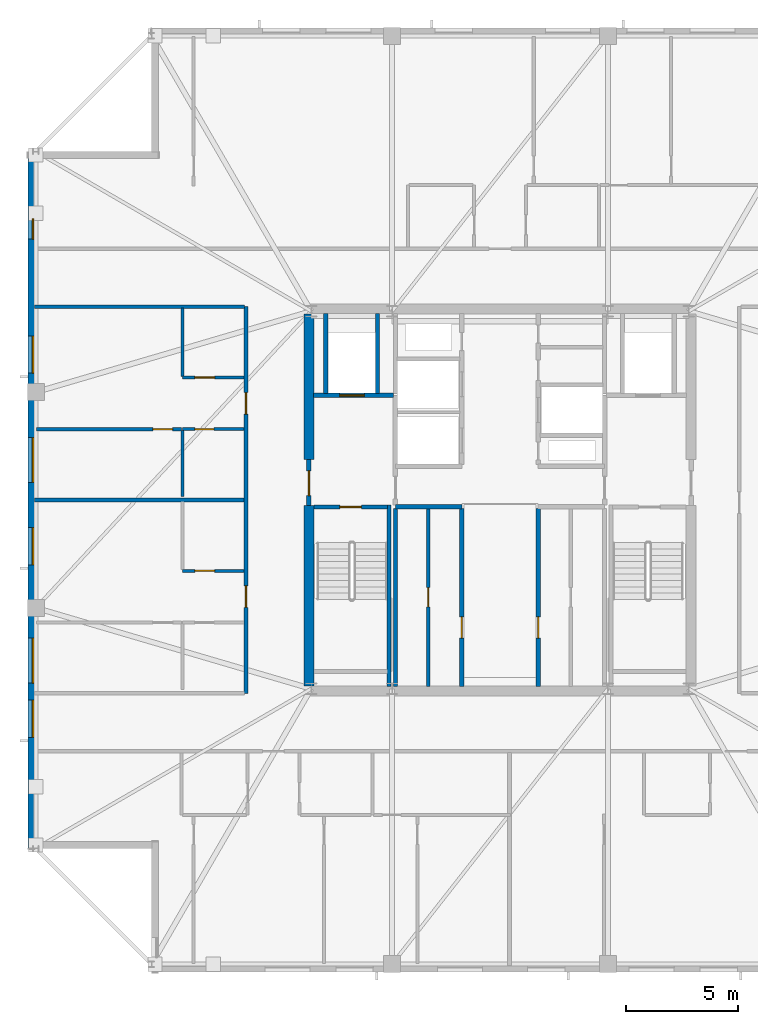
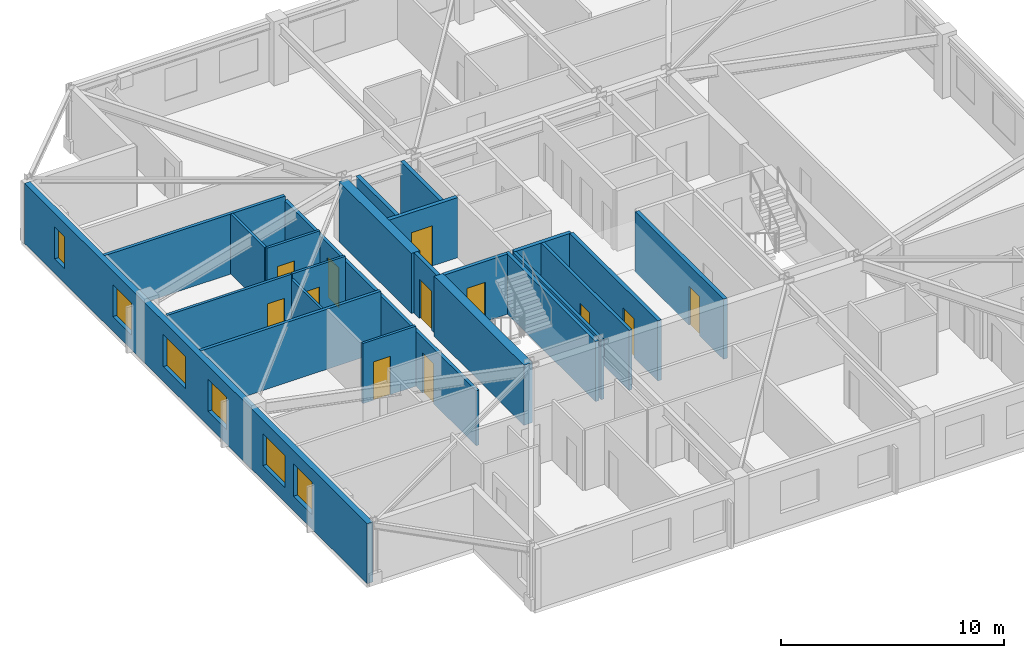
# One storey, part 8 of 15: 23 walls, 12 doors, 6 windows, 18 openings.
"""IFC4 building model written with IfcOpenShell, lengths in metres."""

from ifc_helpers import new_model, si_unit, direction, frame, frame_2d, origin, place, context, subcontext, project, spatial, rectangle, extrude, material, layer, layer_set, type_object, element, fill, save


model = new_model("IFC4")

# Units and contexts
model_context = context("Model", 3, precision=1e-05, world=origin(), true_north=direction((0.0, 1.0)))
body_context = subcontext(model_context, "Body", "Model", "MODEL_VIEW")
ifc_project = project(units=[si_unit("LENGTHUNIT", "METRE"), si_unit("AREAUNIT", "SQUARE_METRE"), si_unit("VOLUMEUNIT", "CUBIC_METRE"), si_unit("PLANEANGLEUNIT", "RADIAN"), si_unit("MASSUNIT", "GRAM", prefix="KILO")], contexts=[model_context])

# Site, building, storey
site_placement = place(None, origin())
site = spatial("IfcSite", under=ifc_project, at=site_placement, CompositionType="ELEMENT")
building_placement = place(site_placement, origin())
building = spatial("IfcBuilding", under=site, at=building_placement, Name="Cairnveth Concourse Tower", CompositionType="ELEMENT")
storey_placement = place(building_placement, frame((0.0, 0.0, 291.0)))
storey = spatial("IfcBuildingStorey", under=building, at=storey_placement, Name="L80", CompositionType="ELEMENT", Elevation=291.0)

# Wall
ifc_material_1 = material(Name="Gypsum Plasterboard Partition", Category="gypsum")
ifc_layer_1 = layer(ifc_material_1, 0.159912109375)
ifc_layer_set_1 = layer_set([ifc_layer_1], Name="Gypsum Plasterboard Partition")
wall_type_1 = type_object("IfcWallType", Name="ACOUSTIC PARTY WALL 180", PredefinedType="PARTITIONING", material=ifc_layer_set_1)
wall_1_placement = place(storey_placement, frame((47.35009765625, 30.7099609375, 0.0), z_axis=(0.0, 0.0, 1.0), x_axis=(0.0, 1.0, 0.0)))
element("IfcWall", 1, at=wall_1_placement, inside=storey, type_object=wall_type_1, Name="Interior Wall IW-L80-025", PredefinedType="PARTITIONING", context=body_context, shape_type="SweptSolid", body=[
    extrude(rectangle(XDim=7.905029296875, YDim=0.159912109375, at=frame_2d((3.95263671875, 0.0))), origin(), (0.0, 0.0, 1.0), 3.2900390625),
])

# Wall, opening, door
wall_2_placement = place(storey_placement, frame((48.800048828125, 30.7099609375, 0.0), z_axis=(0.0, 0.0, 1.0), x_axis=(0.0, 1.0, 0.0)))
wall_2 = element("IfcWall", 2, at=wall_2_placement, inside=storey, type_object=wall_type_1, Name="Interior Wall IW-L80-026", PredefinedType="PARTITIONING", context=body_context, shape_type="SweptSolid", body=[
    extrude(rectangle(XDim=7.905029296875, YDim=0.159912109375, at=frame_2d((3.95263671875, 0.0))), origin(), (0.0, 0.0, 1.0), 3.2900390625),
])
opening_1_placement = place(wall_2_placement, frame((3.5400390625, 0.0, 0.0)))
opening_1 = element("IfcOpeningElement", 3, at=opening_1_placement, cuts=wall_2, Name="Opening ID19", PredefinedType="OPENING", context=body_context, shape_type="SweptSolid", body=[
    extrude(rectangle(XDim=0.85009765625, YDim=2.1201171875, at=frame_2d((0.425048828125, 1.06005859375))), frame((0.0, 0.08984375, 0.0), z_axis=(0.0, -1.0, 0.0), x_axis=(1.0, 0.0, 0.0)), (0.0, 0.0, 1.0), 0.179931640625),
])
ifc_material_2 = material(Name="Steel Grade 350", Category="steel")
door_type_1 = type_object("IfcDoorType", Name="CORE SERVICE DOOR 850X2100", OperationType="NOTDEFINED", PredefinedType="DOOR", material=ifc_material_2)
door_1_placement = place(opening_1_placement, origin())
door_1 = element("IfcDoor", 4, at=door_1_placement, inside=storey, type_object=door_type_1, Name="Inner Store Door L80", OperationType="SINGLE_SWING_RIGHT", OverallHeight=2.1201171875, OverallWidth=0.85009765625, PredefinedType="DOOR", context=body_context, shape_type="SweptSolid", body=[
    extrude(rectangle(XDim=0.85009765625, YDim=2.1201171875, at=frame_2d((0.425048828125, 1.06005859375))), frame((0.0, 0.02490234375, 0.0), z_axis=(0.0, -1.0, 0.0), x_axis=(1.0, 0.0, 0.0)), (0.0, 0.0, 1.0), 0.050048828125),
])
fill(opening_1, door_1)

# Wall, openings, doors
wall_3_placement = place(storey_placement, frame((40.699951171875, 30.39990234375, 0.0), z_axis=(0.0, 0.0, 1.0), x_axis=(0.0, 1.0, 0.0)))
wall_3 = element("IfcWall", 5, at=wall_3_placement, inside=storey, type_object=wall_type_1, Name="Interior Wall IW-L80-038", PredefinedType="PARTITIONING", context=body_context, shape_type="SweptSolid", body=[
    extrude(rectangle(XDim=17.2001953125, YDim=0.159912109375, at=frame_2d((8.60009765625, 0.0))), origin(), (0.0, 0.0, 1.0), 3.009033203125),
])
opening_2_placement = place(wall_3_placement, frame((3.820068359375, 0.0, 0.0)))
opening_2 = element("IfcOpeningElement", 6, at=opening_2_placement, cuts=wall_3, Name="Opening ID10", PredefinedType="OPENING", context=body_context, shape_type="SweptSolid", body=[
    extrude(rectangle(XDim=0.9599609375, YDim=2.179931640625, at=frame_2d((0.47998046875, 1.08984375))), frame((0.0, 0.08984375, 0.0), z_axis=(0.0, -1.0, 0.0), x_axis=(1.0, 0.0, 0.0)), (0.0, 0.0, 1.0), 0.179931640625),
])
opening_3_placement = place(wall_3_placement, frame((12.419921875, 0.0, 0.0)))
opening_3 = element("IfcOpeningElement", 7, at=opening_3_placement, cuts=wall_3, Name="Opening ID10", PredefinedType="OPENING", context=body_context, shape_type="SweptSolid", body=[
    extrude(rectangle(XDim=0.9599609375, YDim=2.179931640625, at=frame_2d((0.47998046875, 1.08984375))), frame((0.0, 0.08984375, 0.0), z_axis=(0.0, -1.0, 0.0), x_axis=(1.0, 0.0, 0.0)), (0.0, 0.0, 1.0), 0.179931640625),
])
ifc_material_3 = material(Name="Solid Core Hardwood Timber Leaf", Category="wood")
door_type_2 = type_object("IfcDoorType", Name="FLAT ENTRANCE DOOR 960X2150", OperationType="NOTDEFINED", PredefinedType="DOOR", material=ifc_material_3)
door_2_placement = place(opening_2_placement, origin())
door_2 = element("IfcDoor", 8, at=door_2_placement, inside=storey, type_object=door_type_2, Name="Penthouse L80PW1 Entrance Door", OperationType="SINGLE_SWING_LEFT", OverallHeight=2.179931640625, OverallWidth=0.9599609375, PredefinedType="DOOR", context=body_context, shape_type="SweptSolid", body=[
    extrude(rectangle(XDim=0.9599609375, YDim=2.179931640625, at=frame_2d((0.47998046875, 1.08984375))), frame((0.0, 0.02490234375, 0.0), z_axis=(0.0, -1.0, 0.0), x_axis=(1.0, 0.0, 0.0)), (0.0, 0.0, 1.0), 0.050048828125),
])
fill(opening_2, door_2)
door_3_placement = place(opening_3_placement, origin())
door_3 = element("IfcDoor", 9, at=door_3_placement, inside=storey, type_object=door_type_2, Name="Penthouse L80PW2 Entrance Door", OperationType="SINGLE_SWING_LEFT", OverallHeight=2.179931640625, OverallWidth=0.9599609375, PredefinedType="DOOR", context=body_context, shape_type="SweptSolid", body=[
    extrude(rectangle(XDim=0.9599609375, YDim=2.179931640625, at=frame_2d((0.47998046875, 1.08984375))), frame((0.0, 0.02490234375, 0.0), z_axis=(0.0, -1.0, 0.0), x_axis=(1.0, 0.0, 0.0)), (0.0, 0.0, 1.0), 0.050048828125),
])
fill(opening_3, door_3)

# Walls
wall_4_placement = place(storey_placement, frame((31.284912109375, 47.60009765625, 0.0), z_axis=(0.0, 0.0, 1.0), x_axis=(1.0, 0.0, 0.0)))
element("IfcWall", 10, at=wall_4_placement, inside=storey, type_object=wall_type_1, Name="Interior Wall IW-L80-041", PredefinedType="PARTITIONING", context=body_context, shape_type="SweptSolid", body=[
    extrude(rectangle(XDim=9.35009765625, YDim=0.159912109375, at=frame_2d((4.675048828125, 0.0))), origin(), (0.0, 0.0, 1.0), 3.2900390625),
])
wall_5_placement = place(storey_placement, frame((31.284912109375, 39.0, 0.0), z_axis=(0.0, 0.0, 1.0), x_axis=(1.0, 0.0, 0.0)))
element("IfcWall", 11, at=wall_5_placement, inside=storey, type_object=wall_type_1, Name="Interior Wall IW-L80-076", PredefinedType="PARTITIONING", context=body_context, shape_type="SweptSolid", body=[
    extrude(rectangle(XDim=9.335205078125, YDim=0.159912109375, at=frame_2d((4.66748046875, 0.0))), origin(), (0.0, 0.0, 1.0), 3.2900390625),
])
ifc_material_4 = material(Name="Concrete N65 (65 MPa)", Category="concrete")
ifc_layer_2 = layer(ifc_material_4, 0.449951171875)
ifc_layer_set_2 = layer_set([ifc_layer_2], Name="Concrete N65 (65 MPa)")
wall_type_2 = type_object("IfcWallType", Name="CORE SHEAR WALL 450", PredefinedType="SHEAR", material=ifc_layer_set_2)
wall_6_placement = place(storey_placement, frame((43.5, 30.715087890625, 0.0), z_axis=(0.0, 0.0, 1.0), x_axis=(0.0, 1.0, 0.0)))
element("IfcWall", 12, at=wall_6_placement, inside=storey, type_object=wall_type_2, Name="Core West Shear Wall S L80", PredefinedType="SHEAR", context=body_context, shape_type="SweptSolid", body=[
    extrude(rectangle(XDim=8.034912109375, YDim=0.449951171875, at=frame_2d((4.017578125, 0.0))), origin(), (0.0, 0.0, 1.0), 3.2900390625),
])
wall_7_placement = place(storey_placement, frame((43.5, 40.800048828125, 0.0), z_axis=(0.0, 0.0, 1.0), x_axis=(0.0, 1.0, 0.0)))
element("IfcWall", 13, at=wall_7_placement, inside=storey, type_object=wall_type_2, Name="Core West Shear Wall N L80", PredefinedType="SHEAR", context=body_context, shape_type="SweptSolid", body=[
    extrude(rectangle(XDim=6.48486328125, YDim=0.449951171875, at=frame_2d((3.242431640625, 0.0))), origin(), (0.0, 0.0, 1.0), 3.2900390625),
])

# Wall, opening, door
ifc_material_5 = material(Name="Concrete N50 (50 MPa)", Category="concrete")
ifc_layer_3 = layer(ifc_material_5, 0.179931640625)
ifc_layer_set_3 = layer_set([ifc_layer_3], Name="Concrete N50 (50 MPa)")
wall_type_3 = type_object("IfcWallType", Name="FIRE SHAFT WALL 180", PredefinedType="SOLIDWALL", material=ifc_layer_set_3)
wall_8_placement = place(storey_placement, frame((43.715087890625, 38.68994140625, 0.0), z_axis=(0.0, 0.0, 1.0), x_axis=(1.0, 0.0, 0.0)))
wall_8 = element("IfcWall", 14, at=wall_8_placement, inside=storey, type_object=wall_type_3, Name="Stair ST-1 Shaft Wall NEAR L80", PredefinedType="SOLIDWALL", context=body_context, shape_type="SweptSolid", body=[
    extrude(rectangle(XDim=3.280029296875, YDim=0.179931640625, at=frame_2d((1.64013671875, 0.0))), origin(), (0.0, 0.0, 1.0), 3.2900390625),
])
opening_4_placement = place(wall_8_placement, frame((1.1650390625, 0.0, 0.0)))
opening_4 = element("IfcOpeningElement", 15, at=opening_4_placement, cuts=wall_8, Name="Opening ID12", PredefinedType="OPENING", context=body_context, shape_type="SweptSolid", body=[
    extrude(rectangle(XDim=0.949951171875, YDim=2.14990234375, at=frame_2d((0.47509765625, 1.074951171875))), frame((0.0, 0.099853515625, 0.0), z_axis=(0.0, -1.0, 0.0), x_axis=(1.0, 0.0, 0.0)), (0.0, 0.0, 1.0), 0.199951171875),
])
door_type_3 = type_object("IfcDoorType", Name="FIRE STAIR DOOR 950X2150", OperationType="NOTDEFINED", PredefinedType="DOOR", material=ifc_material_2)
door_4_placement = place(opening_4_placement, origin())
door_4 = element("IfcDoor", 16, at=door_4_placement, inside=storey, type_object=door_type_3, Name="Stair ST-1 Fire Door L80", OperationType="SINGLE_SWING_LEFT", OverallHeight=2.14990234375, OverallWidth=0.949951171875, PredefinedType="DOOR", context=body_context, shape_type="SweptSolid", body=[
    extrude(rectangle(XDim=0.949951171875, YDim=2.14990234375, at=frame_2d((0.47509765625, 1.074951171875))), frame((0.0, 0.02490234375, 0.0), z_axis=(0.0, -1.0, 0.0), x_axis=(1.0, 0.0, 0.0)), (0.0, 0.0, 1.0), 0.050048828125),
])
fill(opening_4, door_4)

# Walls
wall_9_placement = place(storey_placement, frame((47.070068359375, 38.780029296875, 0.0), z_axis=(0.0, 0.0, 1.0), x_axis=(0.0, -1.0, 0.0)))
element("IfcWall", 17, at=wall_9_placement, inside=storey, type_object=wall_type_3, Name="Stair ST-1 Shaft Wall RGHT L80", PredefinedType="SOLIDWALL", context=body_context, shape_type="SweptSolid", body=[
    extrude(rectangle(XDim=8.067138671875, YDim=0.179931640625, at=frame_2d((4.03369140625, 0.0))), origin(), (0.0, 0.0, 1.0), 3.2900390625),
])
ifc_layer_4 = layer(ifc_material_5, 0.199951171875)
ifc_layer_set_4 = layer_set([ifc_layer_4], Name="Concrete N50 (50 MPa)")
wall_type_4 = type_object("IfcWallType", Name="FIRE SHAFT WALL 200", PredefinedType="SOLIDWALL", material=ifc_layer_set_4)
wall_10_placement = place(storey_placement, frame((47.35009765625, 38.699951171875, 0.0), z_axis=(0.0, 0.0, 1.0), x_axis=(1.0, 0.0, 0.0)))
element("IfcWall", 18, at=wall_10_placement, inside=storey, type_object=wall_type_4, Name="Interior Wall IW-L80-007", PredefinedType="SOLIDWALL", context=body_context, shape_type="SweptSolid", body=[
    extrude(rectangle(XDim=2.949951171875, YDim=0.199951171875, at=frame_2d((1.47509765625, 0.0))), origin(), (0.0, 0.0, 1.0), 3.2900390625),
])

# Wall, opening, door
wall_11_placement = place(storey_placement, frame((50.300048828125, 30.7099609375, 0.0), z_axis=(0.0, 0.0, 1.0), x_axis=(0.0, 1.0, 0.0)))
wall_11 = element("IfcWall", 19, at=wall_11_placement, inside=storey, type_object=wall_type_4, Name="Interior Wall IW-L80-011", PredefinedType="SOLIDWALL", context=body_context, shape_type="SweptSolid", body=[
    extrude(rectangle(XDim=7.905029296875, YDim=0.199951171875, at=frame_2d((3.95263671875, 0.0))), origin(), (0.0, 0.0, 1.0), 3.2900390625),
])
opening_5_placement = place(wall_11_placement, frame((2.139892578125, 0.0, 0.0)))
opening_5 = element("IfcOpeningElement", 20, at=opening_5_placement, cuts=wall_11, Name="Opening ID25", PredefinedType="OPENING", context=body_context, shape_type="SweptSolid", body=[
    extrude(rectangle(XDim=0.949951171875, YDim=2.1201171875, at=frame_2d((0.47509765625, 1.06005859375))), frame((0.0, 0.10986328125, 0.0), z_axis=(0.0, -1.0, 0.0), x_axis=(1.0, 0.0, 0.0)), (0.0, 0.0, 1.0), 0.219970703125),
])
door_type_4 = type_object("IfcDoorType", Name="CORE ACCESSIBLE FIRE DOOR 950X2120", OperationType="NOTDEFINED", PredefinedType="DOOR", material=ifc_material_2)
door_5_placement = place(opening_5_placement, origin())
door_5 = element("IfcDoor", 21, at=door_5_placement, inside=storey, type_object=door_type_4, Name="Accessible WC Suite Door L80", OperationType="SINGLE_SWING_LEFT", OverallHeight=2.1201171875, OverallWidth=0.949951171875, PredefinedType="DOOR", context=body_context, shape_type="SweptSolid", body=[
    extrude(rectangle(XDim=0.949951171875, YDim=2.1201171875, at=frame_2d((0.47509765625, 1.06005859375))), frame((0.0, 0.02490234375, 0.0), z_axis=(0.0, -1.0, 0.0), x_axis=(1.0, 0.0, 0.0)), (0.0, 0.0, 1.0), 0.050048828125),
])
fill(opening_5, door_5)

wall_12_placement = place(storey_placement, frame((53.699951171875, 30.7099609375, 0.0), z_axis=(0.0, 0.0, 1.0), x_axis=(0.0, 1.0, 0.0)))
wall_12 = element("IfcWall", 22, at=wall_12_placement, inside=storey, type_object=wall_type_4, Name="Interior Wall IW-L80-012", PredefinedType="SOLIDWALL", context=body_context, shape_type="SweptSolid", body=[
    extrude(rectangle(XDim=7.905029296875, YDim=0.199951171875, at=frame_2d((3.95263671875, 0.0))), origin(), (0.0, 0.0, 1.0), 3.2900390625),
])
opening_6_placement = place(wall_12_placement, frame((2.139892578125, 0.0, 0.0)))
opening_6 = element("IfcOpeningElement", 23, at=opening_6_placement, cuts=wall_12, Name="Opening ID25", PredefinedType="OPENING", context=body_context, shape_type="SweptSolid", body=[
    extrude(rectangle(XDim=0.949951171875, YDim=2.1201171875, at=frame_2d((0.47509765625, 1.06005859375))), frame((0.0, 0.10986328125, 0.0), z_axis=(0.0, -1.0, 0.0), x_axis=(1.0, 0.0, 0.0)), (0.0, 0.0, 1.0), 0.219970703125),
])
door_6_placement = place(opening_6_placement, origin())
door_6 = element("IfcDoor", 24, at=door_6_placement, inside=storey, type_object=door_type_4, Name="Sky Restroom Door L80", OperationType="SINGLE_SWING_LEFT", OverallHeight=2.1201171875, OverallWidth=0.949951171875, PredefinedType="DOOR", context=body_context, shape_type="SweptSolid", body=[
    extrude(rectangle(XDim=0.949951171875, YDim=2.1201171875, at=frame_2d((0.47509765625, 1.06005859375))), frame((0.0, 0.02490234375, 0.0), z_axis=(0.0, -1.0, 0.0), x_axis=(1.0, 0.0, 0.0)), (0.0, 0.0, 1.0), 0.050048828125),
])
fill(opening_6, door_6)

wall_13_placement = place(storey_placement, frame((43.5, 38.75, 0.0), z_axis=(0.0, 0.0, 1.0), x_axis=(0.0, 1.0, 0.0)))
wall_13 = element("IfcWall", 25, at=wall_13_placement, inside=storey, type_object=wall_type_4, Name="Interior Wall IW-L80-015", PredefinedType="SOLIDWALL", context=body_context, shape_type="SweptSolid", body=[
    extrude(rectangle(XDim=2.050048828125, YDim=0.199951171875, at=frame_2d((1.02490234375, 0.0))), origin(), (0.0, 0.0, 1.0), 3.2900390625),
])
opening_7_placement = place(wall_13_placement, frame((0.449951171875, 0.0, 0.0)))
opening_7 = element("IfcOpeningElement", 26, at=opening_7_placement, cuts=wall_13, Name="Opening ID06", PredefinedType="OPENING", context=body_context, shape_type="SweptSolid", body=[
    extrude(rectangle(XDim=1.10009765625, YDim=2.14990234375, at=frame_2d((0.550048828125, 1.074951171875))), frame((0.0, 0.10986328125, 0.0), z_axis=(0.0, -1.0, 0.0), x_axis=(1.0, 0.0, 0.0)), (0.0, 0.0, 1.0), 0.219970703125),
])
door_type_5 = type_object("IfcDoorType", Name="FIRE CORRIDOR DOOR 1100X2150", OperationType="NOTDEFINED", PredefinedType="DOOR", material=ifc_material_2)
door_7_placement = place(opening_7_placement, origin())
door_7 = element("IfcDoor", 27, at=door_7_placement, inside=storey, type_object=door_type_5, Name="West Wing to FF Lobby Door L80", OperationType="SINGLE_SWING_LEFT", OverallHeight=2.14990234375, OverallWidth=1.10009765625, PredefinedType="DOOR", context=body_context, shape_type="SweptSolid", body=[
    extrude(rectangle(XDim=1.10009765625, YDim=2.14990234375, at=frame_2d((0.550048828125, 1.074951171875))), frame((0.0, 0.02490234375, 0.0), z_axis=(0.0, -1.0, 0.0), x_axis=(1.0, 0.0, 0.0)), (0.0, 0.0, 1.0), 0.050048828125),
])
fill(opening_7, door_7)

wall_14_placement = place(storey_placement, frame((43.7099609375, 43.64990234375, 0.0), z_axis=(0.0, 0.0, 1.0), x_axis=(1.0, 0.0, 0.0)))
wall_14 = element("IfcWall", 28, at=wall_14_placement, inside=storey, type_object=wall_type_4, Name="Interior Wall IW-L80-017", PredefinedType="SOLIDWALL", context=body_context, shape_type="SweptSolid", body=[
    extrude(rectangle(XDim=3.554931640625, YDim=0.199951171875, at=frame_2d((1.77734375, 0.0))), origin(), (0.0, 0.0, 1.0), 3.2900390625),
])
opening_8_placement = place(wall_14_placement, frame((1.159912109375, 0.0, 0.0)))
opening_8 = element("IfcOpeningElement", 29, at=opening_8_placement, cuts=wall_14, Name="Opening LD-1", PredefinedType="OPENING", context=body_context, shape_type="SweptSolid", body=[
    extrude(rectangle(XDim=1.10009765625, YDim=2.199951171875, at=frame_2d((0.550048828125, 1.10009765625))), frame((0.0, 0.10986328125, 0.0), z_axis=(0.0, -1.0, 0.0), x_axis=(1.0, 0.0, 0.0)), (0.0, 0.0, 1.0), 0.219970703125),
])
ifc_material_6 = material(Name="Architectural Bronze Anodised Aluminium 6063-T6", Category="aluminium")
door_type_6 = type_object("IfcDoorType", Name="LIFT LANDING DOOR 1100X2200", OperationType="SLIDING_TO_LEFT", PredefinedType="DOOR", material=ifc_material_6)
door_8_placement = place(opening_8_placement, origin())
door_8 = element("IfcDoor", 30, at=door_8_placement, inside=storey, type_object=door_type_6, Name="Lift FFL1 Landing Door L80", OperationType="SLIDING_TO_LEFT", OverallHeight=2.199951171875, OverallWidth=1.10009765625, PredefinedType="DOOR", context=body_context, shape_type="SweptSolid", body=[
    extrude(rectangle(XDim=1.10009765625, YDim=2.199951171875, at=frame_2d((0.550048828125, 1.10009765625))), frame((0.0, 0.02490234375, 0.0), z_axis=(0.0, -1.0, 0.0), x_axis=(1.0, 0.0, 0.0)), (0.0, 0.0, 1.0), 0.050048828125),
])
fill(opening_8, door_8)

# Walls
for number, where, z_axis, x_axis, name in (
    (31, (46.550048828125, 43.735107421875, 0.0), (0.0, 0.0, 1.0), (0.0, 1.0, 0.0), "Interior Wall IW-L80-018"),
    (32, (44.25, 43.735107421875, 0.0), (0.0, 0.0, 1.0), (0.0, 1.0, 0.0), "Interior Wall IW-L80-019"),
):
    element("IfcWall", number, at=place(storey_placement, frame(where, z_axis=z_axis, x_axis=x_axis)), inside=storey, type_object=wall_type_4, Name=name, PredefinedType="SOLIDWALL", context=body_context, shape_type="SweptSolid", body=[
        extrude(rectangle(XDim=3.554931640625, YDim=0.199951171875, at=frame_2d((1.77734375, 0.0))), origin(), (0.0, 0.0, 1.0), 3.2900390625),
    ])

# Wall, opening, door
ifc_layer_5 = layer(ifc_material_1, 0.139892578125)
ifc_layer_set_5 = layer_set([ifc_layer_5], Name="Gypsum Plasterboard Partition")
wall_type_5 = type_object("IfcWallType", Name="GYPSUM STUD PARTITION 140", PredefinedType="PARTITIONING", material=ifc_layer_set_5)
wall_15_placement = place(storey_placement, frame((31.3798828125, 42.14990234375, 0.0), z_axis=(0.0, 0.0, 1.0), x_axis=(1.0, 0.0, 0.0)))
wall_15 = element("IfcWall", 33, at=wall_15_placement, inside=storey, type_object=wall_type_5, Name="Interior Wall IW-L80-086", PredefinedType="PARTITIONING", context=body_context, shape_type="SweptSolid", body=[
    extrude(rectangle(XDim=6.440185546875, YDim=0.139892578125, at=frame_2d((3.22021484375, 0.0))), origin(), (0.0, 0.0, 1.0), 3.2900390625),
])
opening_9_placement = place(wall_15_placement, frame((5.179931640625, 0.0, 0.0)))
opening_9 = element("IfcOpeningElement", 34, at=opening_9_placement, cuts=wall_15, Name="Opening ID18", PredefinedType="OPENING", context=body_context, shape_type="SweptSolid", body=[
    extrude(rectangle(XDim=0.8798828125, YDim=2.10009765625, at=frame_2d((0.43994140625, 1.050048828125))), frame((0.0, 0.079833984375, 0.0), z_axis=(0.0, -1.0, 0.0), x_axis=(1.0, 0.0, 0.0)), (0.0, 0.0, 1.0), 0.159912109375),
])
door_type_7 = type_object("IfcDoorType", Name="INTERIOR SINGLE DOOR 880X2100", OperationType="NOTDEFINED", PredefinedType="DOOR", material=ifc_material_3)
door_9_placement = place(opening_9_placement, origin())
door_9 = element("IfcDoor", 35, at=door_9_placement, inside=storey, type_object=door_type_7, Name="L80PW2 Master Bedroom Door", OperationType="SINGLE_SWING_RIGHT", OverallHeight=2.10009765625, OverallWidth=0.8798828125, PredefinedType="DOOR", context=body_context, shape_type="SweptSolid", body=[
    extrude(rectangle(XDim=0.8798828125, YDim=2.10009765625, at=frame_2d((0.43994140625, 1.050048828125))), frame((0.0, 0.02490234375, 0.0), z_axis=(0.0, -1.0, 0.0), x_axis=(1.0, 0.0, 0.0)), (0.0, 0.0, 1.0), 0.050048828125),
])
fill(opening_9, door_9)

ifc_layer_6 = layer(ifc_material_1, 0.1298828125)
ifc_layer_set_6 = layer_set([ifc_layer_6], Name="Gypsum Plasterboard Partition")
wall_type_6 = type_object("IfcWallType", Name="WET AREA PARTITION 140", PredefinedType="PLUMBINGWALL", material=ifc_layer_set_6)
wall_16_placement = place(storey_placement, frame((37.8701171875, 35.85009765625, 0.0), z_axis=(0.0, 0.0, 1.0), x_axis=(1.0, 0.0, 0.0)))
wall_16 = element("IfcWall", 36, at=wall_16_placement, inside=storey, type_object=wall_type_6, Name="Interior Wall IW-L80-079", PredefinedType="PLUMBINGWALL", context=body_context, shape_type="SweptSolid", body=[
    extrude(rectangle(XDim=2.75, YDim=0.1298828125, at=frame_2d((1.375, 0.0))), origin(), (0.0, 0.0, 1.0), 3.2900390625),
])
opening_10_placement = place(wall_16_placement, frame((0.550048828125, 0.0, 0.0)))
opening_10 = element("IfcOpeningElement", 37, at=opening_10_placement, cuts=wall_16, Name="Opening ID18", PredefinedType="OPENING", context=body_context, shape_type="SweptSolid", body=[
    extrude(rectangle(XDim=0.8798828125, YDim=2.10009765625, at=frame_2d((0.43994140625, 1.050048828125))), frame((0.0, 0.074951171875, 0.0), z_axis=(0.0, -1.0, 0.0), x_axis=(1.0, 0.0, 0.0)), (0.0, 0.0, 1.0), 0.14990234375),
])
door_10_placement = place(opening_10_placement, origin())
door_10 = element("IfcDoor", 38, at=door_10_placement, inside=storey, type_object=door_type_7, Name="L80PW1 Kitchen Door", OperationType="SINGLE_SWING_LEFT", OverallHeight=2.10009765625, OverallWidth=0.8798828125, PredefinedType="DOOR", context=body_context, shape_type="SweptSolid", body=[
    extrude(rectangle(XDim=0.8798828125, YDim=2.10009765625, at=frame_2d((0.43994140625, 1.050048828125))), frame((0.0, 0.02490234375, 0.0), z_axis=(0.0, -1.0, 0.0), x_axis=(1.0, 0.0, 0.0)), (0.0, 0.0, 1.0), 0.050048828125),
])
fill(opening_10, door_10)

wall_17_placement = place(storey_placement, frame((37.8701171875, 42.14990234375, 0.0), z_axis=(0.0, 0.0, 1.0), x_axis=(1.0, 0.0, 0.0)))
wall_17 = element("IfcWall", 39, at=wall_17_placement, inside=storey, type_object=wall_type_6, Name="Interior Wall IW-L80-082", PredefinedType="PLUMBINGWALL", context=body_context, shape_type="SweptSolid", body=[
    extrude(rectangle(XDim=2.75, YDim=0.1298828125, at=frame_2d((1.375, 0.0))), origin(), (0.0, 0.0, 1.0), 3.2900390625),
])
opening_11_placement = place(wall_17_placement, frame((0.550048828125, 0.0, 0.0)))
opening_11 = element("IfcOpeningElement", 40, at=opening_11_placement, cuts=wall_17, Name="Opening ID21", PredefinedType="OPENING", context=body_context, shape_type="SweptSolid", body=[
    extrude(rectangle(XDim=0.85009765625, YDim=2.080078125, at=frame_2d((0.425048828125, 1.0400390625))), frame((0.0, 0.074951171875, 0.0), z_axis=(0.0, -1.0, 0.0), x_axis=(1.0, 0.0, 0.0)), (0.0, 0.0, 1.0), 0.14990234375),
])
door_type_8 = type_object("IfcDoorType", Name="INTERIOR WC DOOR 850X2100", OperationType="NOTDEFINED", PredefinedType="DOOR", material=ifc_material_3)
door_11_placement = place(opening_11_placement, origin())
door_11 = element("IfcDoor", 41, at=door_11_placement, inside=storey, type_object=door_type_8, Name="L80PW2 Bathroom Door", OperationType="SINGLE_SWING_RIGHT", OverallHeight=2.080078125, OverallWidth=0.85009765625, PredefinedType="DOOR", context=body_context, shape_type="SweptSolid", body=[
    extrude(rectangle(XDim=0.85009765625, YDim=2.080078125, at=frame_2d((0.425048828125, 1.0400390625))), frame((0.0, 0.02490234375, 0.0), z_axis=(0.0, -1.0, 0.0), x_axis=(1.0, 0.0, 0.0)), (0.0, 0.0, 1.0), 0.050048828125),
])
fill(opening_11, door_11)

# Wall
wall_18_placement = place(storey_placement, frame((37.8701171875, 39.159912109375, 0.0), z_axis=(0.0, 0.0, 1.0), x_axis=(0.0, 1.0, 0.0)))
element("IfcWall", 42, at=wall_18_placement, inside=storey, type_object=wall_type_6, Name="Interior Wall IW-L80-083", PredefinedType="PLUMBINGWALL", context=body_context, shape_type="SweptSolid", body=[
    extrude(rectangle(XDim=2.940185546875, YDim=0.1298828125, at=frame_2d((1.47021484375, 0.0))), origin(), (0.0, 0.0, 1.0), 3.009033203125),
])

# Wall, opening, door
wall_19_placement = place(storey_placement, frame((37.8701171875, 44.449951171875, 0.0), z_axis=(0.0, 0.0, 1.0), x_axis=(1.0, 0.0, 0.0)))
wall_19 = element("IfcWall", 43, at=wall_19_placement, inside=storey, type_object=wall_type_6, Name="Interior Wall IW-L80-084", PredefinedType="PLUMBINGWALL", context=body_context, shape_type="SweptSolid", body=[
    extrude(rectangle(XDim=2.75, YDim=0.1298828125, at=frame_2d((1.375, 0.0))), origin(), (0.0, 0.0, 1.0), 3.2900390625),
])
opening_12_placement = place(wall_19_placement, frame((0.550048828125, 0.0, 0.0)))
opening_12 = element("IfcOpeningElement", 44, at=opening_12_placement, cuts=wall_19, Name="Opening ID18", PredefinedType="OPENING", context=body_context, shape_type="SweptSolid", body=[
    extrude(rectangle(XDim=0.8798828125, YDim=2.10009765625, at=frame_2d((0.43994140625, 1.050048828125))), frame((0.0, 0.074951171875, 0.0), z_axis=(0.0, -1.0, 0.0), x_axis=(1.0, 0.0, 0.0)), (0.0, 0.0, 1.0), 0.14990234375),
])
door_12_placement = place(opening_12_placement, origin())
door_12 = element("IfcDoor", 45, at=door_12_placement, inside=storey, type_object=door_type_7, Name="L80PW2 Kitchen Door", OperationType="SINGLE_SWING_LEFT", OverallHeight=2.10009765625, OverallWidth=0.8798828125, PredefinedType="DOOR", context=body_context, shape_type="SweptSolid", body=[
    extrude(rectangle(XDim=0.8798828125, YDim=2.10009765625, at=frame_2d((0.43994140625, 1.050048828125))), frame((0.0, 0.02490234375, 0.0), z_axis=(0.0, -1.0, 0.0), x_axis=(1.0, 0.0, 0.0)), (0.0, 0.0, 1.0), 0.050048828125),
])
fill(opening_12, door_12)

# Wall
wall_20_placement = place(storey_placement, frame((37.8701171875, 44.5, 0.0), z_axis=(0.0, 0.0, 1.0), x_axis=(0.0, 1.0, 0.0)))
element("IfcWall", 46, at=wall_20_placement, inside=storey, type_object=wall_type_6, Name="Interior Wall IW-L80-085", PredefinedType="PLUMBINGWALL", context=body_context, shape_type="SweptSolid", body=[
    extrude(rectangle(XDim=3.034912109375, YDim=0.1298828125, at=frame_2d((1.517578125, 0.0))), origin(), (0.0, 0.0, 1.0), 3.2900390625),
])

# Wall, openings, windows
ifc_material_7 = material(Name="Hawthorn Red-Ochre Fired Clay Brick Masonry", Category="masonry")
ifc_layer_7 = layer(ifc_material_7, 0.300048828125)
ifc_layer_set_7 = layer_set([ifc_layer_7], Name="Hawthorn Red-Ochre Fired Clay Brick Masonry")
wall_type_7 = type_object("IfcWallType", Name="ZONE 4 BRICK PIER SPANDREL WALL 300", PredefinedType="SOLIDWALL", material=ifc_layer_set_7)
wall_21_placement = place(storey_placement, frame((31.14990234375, 23.5, 0.0), z_axis=(0.0, 0.0, 1.0), x_axis=(0.0, 1.0, 0.0)))
wall_21 = element("IfcWall", 47, at=wall_21_placement, inside=storey, type_object=wall_type_7, Name="Exterior Wall EW-L80-S06", PredefinedType="SOLIDWALL", context=body_context, shape_type="SweptSolid", body=[
    extrude(rectangle(XDim=30.721923828125, YDim=0.300048828125, at=frame_2d((15.36083984375, 0.0))), origin(), (0.0, 0.0, 1.0), 3.2900390625),
])
opening_13_placement = place(wall_21_placement, frame((4.943603515625, 0.0, 0.800048828125)))
opening_13 = element("IfcOpeningElement", 48, at=opening_13_placement, cuts=wall_21, Name="Opening W04", PredefinedType="OPENING", context=body_context, shape_type="SweptSolid", body=[
    extrude(rectangle(XDim=1.64990234375, YDim=1.758056640625, at=frame_2d((0.824951171875, 0.87890625))), frame((0.0, 0.159912109375, 0.0), z_axis=(0.0, -1.0, 0.0), x_axis=(1.0, 0.0, 0.0)), (0.0, 0.0, 1.0), 0.320068359375),
])
opening_14_placement = place(wall_21_placement, frame((7.35546875, 0.0, 0.800048828125)))
opening_14 = element("IfcOpeningElement", 49, at=opening_14_placement, cuts=wall_21, Name="Opening W09", PredefinedType="OPENING", context=body_context, shape_type="SweptSolid", body=[
    extrude(rectangle(XDim=2.0, YDim=1.758056640625, at=frame_2d((1.0, 0.87890625))), frame((0.0, 0.159912109375, 0.0), z_axis=(0.0, -1.0, 0.0), x_axis=(1.0, 0.0, 0.0)), (0.0, 0.0, 1.0), 0.320068359375),
])
opening_15_placement = place(wall_21_placement, frame((12.617431640625, 0.0, 0.800048828125)))
opening_15 = element("IfcOpeningElement", 50, at=opening_15_placement, cuts=wall_21, Name="Opening W04", PredefinedType="OPENING", context=body_context, shape_type="SweptSolid", body=[
    extrude(rectangle(XDim=1.64990234375, YDim=1.758056640625, at=frame_2d((0.824951171875, 0.87890625))), frame((0.0, 0.159912109375, 0.0), z_axis=(0.0, -1.0, 0.0), x_axis=(1.0, 0.0, 0.0)), (0.0, 0.0, 1.0), 0.320068359375),
])
opening_16_placement = place(wall_21_placement, frame((16.279541015625, 0.0, 0.800048828125)))
opening_16 = element("IfcOpeningElement", 51, at=opening_16_placement, cuts=wall_21, Name="Opening W09", PredefinedType="OPENING", context=body_context, shape_type="SweptSolid", body=[
    extrude(rectangle(XDim=2.0, YDim=1.758056640625, at=frame_2d((1.0, 0.87890625))), frame((0.0, 0.159912109375, 0.0), z_axis=(0.0, -1.0, 0.0), x_axis=(1.0, 0.0, 0.0)), (0.0, 0.0, 1.0), 0.320068359375),
])
opening_17_placement = place(wall_21_placement, frame((21.1416015625, 0.0, 0.800048828125)))
opening_17 = element("IfcOpeningElement", 52, at=opening_17_placement, cuts=wall_21, Name="Opening W04", PredefinedType="OPENING", context=body_context, shape_type="SweptSolid", body=[
    extrude(rectangle(XDim=1.64990234375, YDim=1.758056640625, at=frame_2d((0.824951171875, 0.87890625))), frame((0.0, 0.159912109375, 0.0), z_axis=(0.0, -1.0, 0.0), x_axis=(1.0, 0.0, 0.0)), (0.0, 0.0, 1.0), 0.320068359375),
])
opening_18_placement = place(wall_21_placement, frame((27.110107421875, 0.0, 0.800048828125)))
opening_18 = element("IfcOpeningElement", 53, at=opening_18_placement, cuts=wall_21, Name="Opening W13", PredefinedType="OPENING", context=body_context, shape_type="SweptSolid", body=[
    extrude(rectangle(XDim=0.89990234375, YDim=1.75, at=frame_2d((0.449951171875, 0.875))), frame((0.0, 0.159912109375, 0.0), z_axis=(0.0, -1.0, 0.0), x_axis=(1.0, 0.0, 0.0)), (0.0, 0.0, 1.0), 0.320068359375),
])
ifc_material_8 = material(Name="Double Glazed Low-E Clear Glass", Category="glass")
window_type_1 = type_object("IfcWindowType", Name="DEEP-SET BEDROOM LANCET WINDOW 900X1750", PartitioningType="DOUBLE_PANEL_VERTICAL", PredefinedType="WINDOW", material=ifc_material_8)
window_1_placement = place(opening_18_placement, origin())
window_1 = element("IfcWindow", 54, at=window_1_placement, inside=storey, type_object=window_type_1, Name="Dwelling Lancet Window L80-DW3", OverallHeight=1.75, OverallWidth=0.89990234375, PartitioningType="SINGLE_PANEL", PredefinedType="WINDOW", context=body_context, shape_type="SweptSolid", body=[
    extrude(rectangle(XDim=0.89990234375, YDim=1.75, at=frame_2d((0.449951171875, 0.875))), frame((0.0, -0.0400390625, 0.0), z_axis=(0.0, -1.0, 0.0), x_axis=(1.0, 0.0, 0.0)), (0.0, 0.0, 1.0), 0.06005859375),
])
fill(opening_18, window_1)
window_type_2 = type_object("IfcWindowType", Name="DEEP-SET GOTHIC LANCET WINDOW 1650X1850", PartitioningType="DOUBLE_PANEL_VERTICAL", PredefinedType="WINDOW", material=ifc_material_8)
window_2_placement = place(opening_13_placement, origin())
window_2 = element("IfcWindow", 55, at=window_2_placement, inside=storey, type_object=window_type_2, Name="Gothic Lancet Window L80-6-1", OverallHeight=1.758056640625, OverallWidth=1.64990234375, PartitioningType="SINGLE_PANEL", PredefinedType="WINDOW", context=body_context, shape_type="SweptSolid", body=[
    extrude(rectangle(XDim=1.64990234375, YDim=1.758056640625, at=frame_2d((0.824951171875, 0.87890625))), frame((0.0, -0.050048828125, 0.0), z_axis=(0.0, -1.0, 0.0), x_axis=(1.0, 0.0, 0.0)), (0.0, 0.0, 1.0), 0.06005859375),
])
fill(opening_13, window_2)
window_3_placement = place(opening_15_placement, origin())
window_3 = element("IfcWindow", 56, at=window_3_placement, inside=storey, type_object=window_type_2, Name="Gothic Lancet Window L80-6-3", OverallHeight=1.758056640625, OverallWidth=1.64990234375, PartitioningType="SINGLE_PANEL", PredefinedType="WINDOW", context=body_context, shape_type="SweptSolid", body=[
    extrude(rectangle(XDim=1.64990234375, YDim=1.758056640625, at=frame_2d((0.824951171875, 0.87890625))), frame((0.0, -0.050048828125, 0.0), z_axis=(0.0, -1.0, 0.0), x_axis=(1.0, 0.0, 0.0)), (0.0, 0.0, 1.0), 0.06005859375),
])
fill(opening_15, window_3)
window_4_placement = place(opening_17_placement, origin())
window_4 = element("IfcWindow", 57, at=window_4_placement, inside=storey, type_object=window_type_2, Name="Gothic Lancet Window L80-6-5", OverallHeight=1.758056640625, OverallWidth=1.64990234375, PartitioningType="SINGLE_PANEL", PredefinedType="WINDOW", context=body_context, shape_type="SweptSolid", body=[
    extrude(rectangle(XDim=1.64990234375, YDim=1.758056640625, at=frame_2d((0.824951171875, 0.87890625))), frame((0.0, -0.050048828125, 0.0), z_axis=(0.0, -1.0, 0.0), x_axis=(1.0, 0.0, 0.0)), (0.0, 0.0, 1.0), 0.06005859375),
])
fill(opening_17, window_4)
window_type_3 = type_object("IfcWindowType", Name="DEEP-SET PENTHOUSE LANCET WINDOW 2000X1850", PartitioningType="DOUBLE_PANEL_VERTICAL", PredefinedType="WINDOW", material=ifc_material_8)
window_5_placement = place(opening_14_placement, origin())
window_5 = element("IfcWindow", 58, at=window_5_placement, inside=storey, type_object=window_type_3, Name="Gothic Lancet Window L80-6-2", OverallHeight=1.758056640625, OverallWidth=2.0, PartitioningType="SINGLE_PANEL", PredefinedType="WINDOW", context=body_context, shape_type="SweptSolid", body=[
    extrude(rectangle(XDim=2.0, YDim=1.758056640625, at=frame_2d((1.0, 0.87890625))), frame((0.0, -0.050048828125, 0.0), z_axis=(0.0, -1.0, 0.0), x_axis=(1.0, 0.0, 0.0)), (0.0, 0.0, 1.0), 0.06005859375),
])
fill(opening_14, window_5)
window_6_placement = place(opening_16_placement, origin())
window_6 = element("IfcWindow", 59, at=window_6_placement, inside=storey, type_object=window_type_3, Name="Gothic Lancet Window L80-6-4", OverallHeight=1.758056640625, OverallWidth=2.0, PartitioningType="SINGLE_PANEL", PredefinedType="WINDOW", context=body_context, shape_type="SweptSolid", body=[
    extrude(rectangle(XDim=2.0, YDim=1.758056640625, at=frame_2d((1.0, 0.87890625))), frame((0.0, -0.050048828125, 0.0), z_axis=(0.0, -1.0, 0.0), x_axis=(1.0, 0.0, 0.0)), (0.0, 0.0, 1.0), 0.06005859375),
])
fill(opening_16, window_6)

save(model, "model.ifc")
